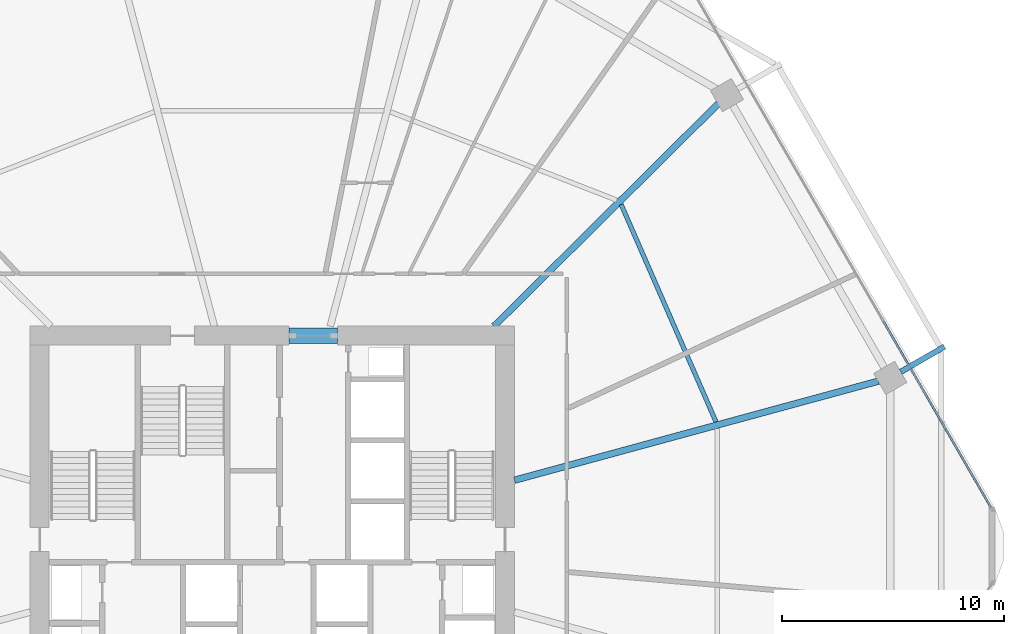
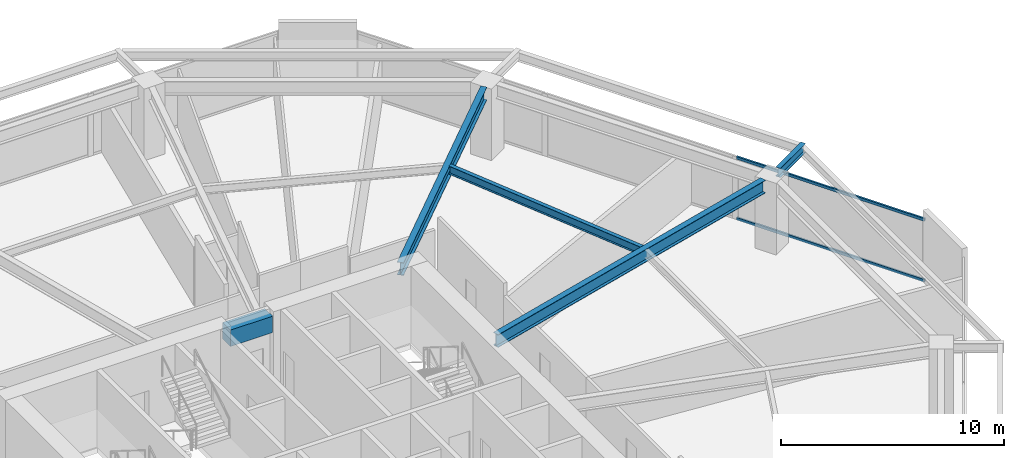
# One storey, part 18 of 28: 5 beams, 2 members, 1 element without a shape of its own.
"""IFC4 building model written with IfcOpenShell, lengths in metres."""

from ifc_helpers import new_model, si_unit, direction, frame, origin, origin_2d, place, context, subcontext, project, spatial, rectangle, hollow_rectangle, i_section, extrude, material, material_profile, profile_set, type_object, element, aggregate, save


model = new_model("IFC4")

# Units and contexts
model_context = context("Model", 3, precision=1e-05, world=origin(), true_north=direction((0.0, 1.0)))
body_context = subcontext(model_context, "Body", "Model", "MODEL_VIEW")
ifc_project = project(units=[si_unit("LENGTHUNIT", "METRE"), si_unit("AREAUNIT", "SQUARE_METRE"), si_unit("VOLUMEUNIT", "CUBIC_METRE"), si_unit("PLANEANGLEUNIT", "RADIAN"), si_unit("MASSUNIT", "GRAM", prefix="KILO")], contexts=[model_context])

# Site, building, storey
site_placement = place(None, origin())
site = spatial("IfcSite", under=ifc_project, at=site_placement, CompositionType="ELEMENT")
building_placement = place(site_placement, origin())
building = spatial("IfcBuilding", under=site, at=building_placement, Name="Zuhravey Tower", CompositionType="ELEMENT")
storey_placement = place(building_placement, frame((0.0, 0.0, 79.199951171875)))
storey = spatial("IfcBuildingStorey", under=building, at=storey_placement, Name="L19", CompositionType="ELEMENT", Elevation=79.199951171875)

# Beam
ifc_material_1 = material(Name="Concrete C60/75", Category="concrete")
ifc_material_profile_1 = material_profile(ifc_material_1, rectangle(XDim=0.699951171875, YDim=0.89990234375, at=origin_2d()), Name="RC-700x900")
ifc_profile_set_1 = profile_set([ifc_material_profile_1], Name="Concrete C60/75")
beam_type_1 = type_object("IfcBeamType", Name="Core Coupling Beam RC700x900", PredefinedType="LINTEL", material=ifc_profile_set_1)
beam_1_placement = place(storey_placement, frame((36.751953125, 41.5, 3.469970703125), z_axis=(1.0, 0.0, 0.0), x_axis=(0.0, 1.0, 0.0)))
element("IfcBeam", 1, at=beam_1_placement, inside=storey, type_object=beam_type_1, Name="L19 CB1 BM-L19-CB-N", PredefinedType="LINTEL", context=body_context, shape_type="SweptSolid", body=[
    extrude(rectangle(XDim=0.699951171875, YDim=0.89990234375, at=origin_2d()), origin(), (0.0, 0.0, 1.0), 2.196044921875),
])

# Curtain wall, members
ifc_material_2 = material(Name="Thermally broken anodised aluminium", Category="aluminium")
curtain_wall_type = type_object("IfcCurtainWallType", Name="School Low-E Unitised Curtain Wall CW1", PredefinedType="NOTDEFINED", material=ifc_material_2)
curtain_wall_placement = place(storey_placement, origin())
curtain_wall = element("IfcCurtainWall", 2, at=curtain_wall_placement, inside=storey, type_object=curtain_wall_type, Name="L19 CW1 CW-L19-F1-1", PredefinedType="NOTDEFINED")
ifc_material_3 = material(Name="Anodised aluminium", Category="aluminium")
ifc_material_profile_2 = material_profile(ifc_material_3, hollow_rectangle(XDim=0.090087890625, YDim=0.14990234375, WallThickness=0.0048828125, at=origin_2d()), Name="ALU-RHS-90x150x5")
ifc_profile_set_2 = profile_set([ifc_material_profile_2], Name="Anodised aluminium")
member_type = type_object("IfcMemberType", Name="Curtain-Wall Transom 90x150", PredefinedType="USERDEFINED", material=ifc_profile_set_2)
member_1_placement = place(storey_placement, frame((63.56787109375, 42.16796875, 0.045166015625), z_axis=(0.500008393077, -0.866020557985, 0.0), x_axis=(0.866020557985, 0.500008393077, 0.0)))
member_1 = element("IfcMember", 3, at=member_1_placement, type_object=member_type, Name="CW1 transom 3.1", ObjectType="TRANSOM", PredefinedType="USERDEFINED", context=body_context, shape_type="SweptSolid", body=[
    extrude(hollow_rectangle(XDim=0.090087890625, YDim=0.14990234375, WallThickness=0.0048828125, at=origin_2d()), origin(), (0.0, 0.0, 1.0), 9.731201171875),
])
member_2_placement = place(storey_placement, frame((63.56787109375, 42.16796875, 3.375), z_axis=(0.500008393077, -0.866020557985, 0.0), x_axis=(0.866020557985, 0.500008393077, 0.0)))
member_2 = element("IfcMember", 4, at=member_2_placement, type_object=member_type, Name="CW1 transom 3.2", ObjectType="TRANSOM", PredefinedType="USERDEFINED", context=body_context, shape_type="SweptSolid", body=[
    extrude(hollow_rectangle(XDim=0.090087890625, YDim=0.14990234375, WallThickness=0.0048828125, at=origin_2d()), origin(), (0.0, 0.0, 1.0), 9.731201171875),
])
aggregate(curtain_wall, [member_1, member_2])

# Beams
ifc_material_4 = material(Name="Steel SM355", Category="steel")
ifc_material_profile_3 = material_profile(ifc_material_4, i_section(OverallWidth=0.300048828125, OverallDepth=0.699951171875, WebThickness=0.012939453125, FlangeThickness=0.02392578125, at=origin_2d()), Name="H-700x300x13x24")
ifc_profile_set_3 = profile_set([ifc_material_profile_3], Name="Steel SM355")
beam_type_2 = type_object("IfcBeamType", Name="Radial Primary Girder H700x300", PredefinedType="BEAM", material=ifc_profile_set_3)
beam_2_placement = place(storey_placement, frame((46.927978515625, 34.974609375, 3.570068359375), z_axis=(0.964891112932, 0.262650224032, 0.0), x_axis=(-0.262650224032, 0.964891112932, 0.0)))
element("IfcBeam", 5, at=beam_2_placement, inside=storey, type_object=beam_type_2, Name="L19 RG1 BM-L19-RAD-01", PredefinedType="BEAM", context=body_context, shape_type="SweptSolid", body=[
    extrude(i_section(OverallWidth=0.300048828125, OverallDepth=0.699951171875, WebThickness=0.012939453125, FlangeThickness=0.02392578125, at=origin_2d()), origin(), (0.0, 0.0, 1.0), 17.025146484375),
])
beam_3_placement = place(storey_placement, frame((46.007080078125, 41.927978515625, 3.570068359375), z_axis=(0.709901518563, 0.704300954097, 0.0), x_axis=(-0.704300954097, 0.709901518563, 0.0)))
element("IfcBeam", 6, at=beam_3_placement, inside=storey, type_object=beam_type_2, Name="L19 RG1 BM-L19-RAD-02", PredefinedType="BEAM", context=body_context, shape_type="SweptSolid", body=[
    extrude(i_section(OverallWidth=0.300048828125, OverallDepth=0.699951171875, WebThickness=0.012939453125, FlangeThickness=0.02392578125, at=origin_2d()), origin(), (0.0, 0.0, 1.0), 14.254638671875),
])
ifc_material_profile_4 = material_profile(ifc_material_4, i_section(OverallWidth=0.199951171875, OverallDepth=0.449951171875, WebThickness=0.009033203125, FlangeThickness=0.013916015625, at=origin_2d()), Name="H-450x200x9x14")
ifc_profile_set_4 = profile_set([ifc_material_profile_4], Name="Steel SM355")
beam_type_3 = type_object("IfcBeamType", Name="Secondary Floor Joist H450x200", PredefinedType="JOIST", material=ifc_profile_set_4)
beam_4_placement = place(storey_placement, frame((56.025390625, 37.60888671875, 3.695068359375), z_axis=(-0.399923551578, 0.916548500022, 0.0), x_axis=(-0.916548500022, -0.399923551578, 0.0)))
element("IfcBeam", 7, at=beam_4_placement, inside=storey, type_object=beam_type_3, Name="L19 SJ1 BM-L19-SJ-01-1", PredefinedType="JOIST", context=body_context, shape_type="SweptSolid", body=[
    extrude(i_section(OverallWidth=0.199951171875, OverallDepth=0.449951171875, WebThickness=0.009033203125, FlangeThickness=0.013916015625, at=origin_2d()), origin(), (0.0, 0.0, 1.0), 10.70263671875),
])
ifc_material_profile_5 = material_profile(ifc_material_4, i_section(OverallWidth=0.25, OverallDepth=0.5, WebThickness=0.010009765625, FlangeThickness=0.01611328125, at=origin_2d()), Name="H-500x250x10x16")
ifc_profile_set_5 = profile_set([ifc_material_profile_5], Name="Steel SM355")
beam_type_4 = type_object("IfcBeamType", Name="Tray Cantilever Spandrel H500x250", PredefinedType="SPANDREL", material=ifc_profile_set_5)
beam_5_placement = place(storey_placement, frame((64.368896484375, 39.86865234375, 3.670166015625), z_axis=(0.866013342106, 0.500020890858, 0.0), x_axis=(-0.500020890858, 0.866013342106, 0.0)))
element("IfcBeam", 8, at=beam_5_placement, inside=storey, type_object=beam_type_4, Name="L19 Sky-Tray Cantilever Arm TSB1-R01", PredefinedType="SPANDREL", context=body_context, shape_type="SweptSolid", body=[
    extrude(i_section(OverallWidth=0.25, OverallDepth=0.5, WebThickness=0.010009765625, FlangeThickness=0.01611328125, at=origin_2d()), origin(), (0.0, 0.0, 1.0), 2.26611328125),
])

save(model, "model.ifc")
